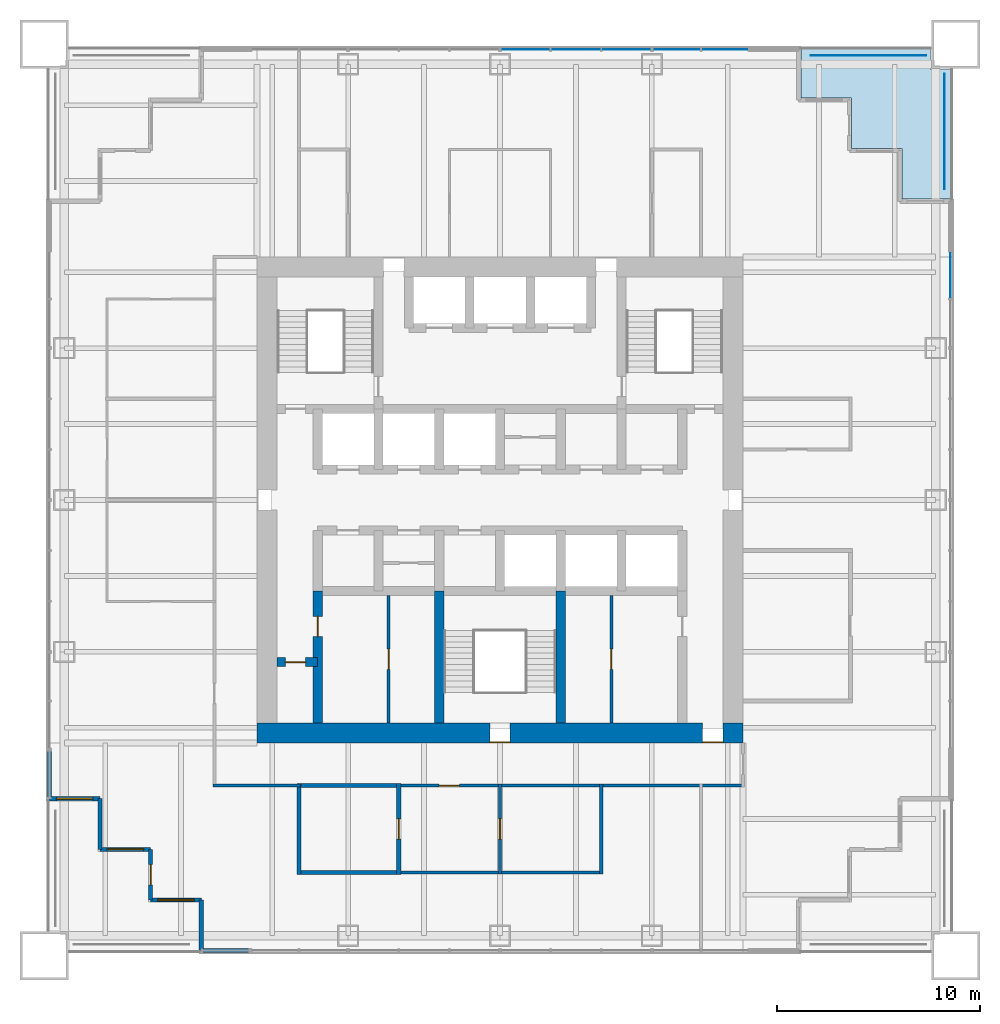
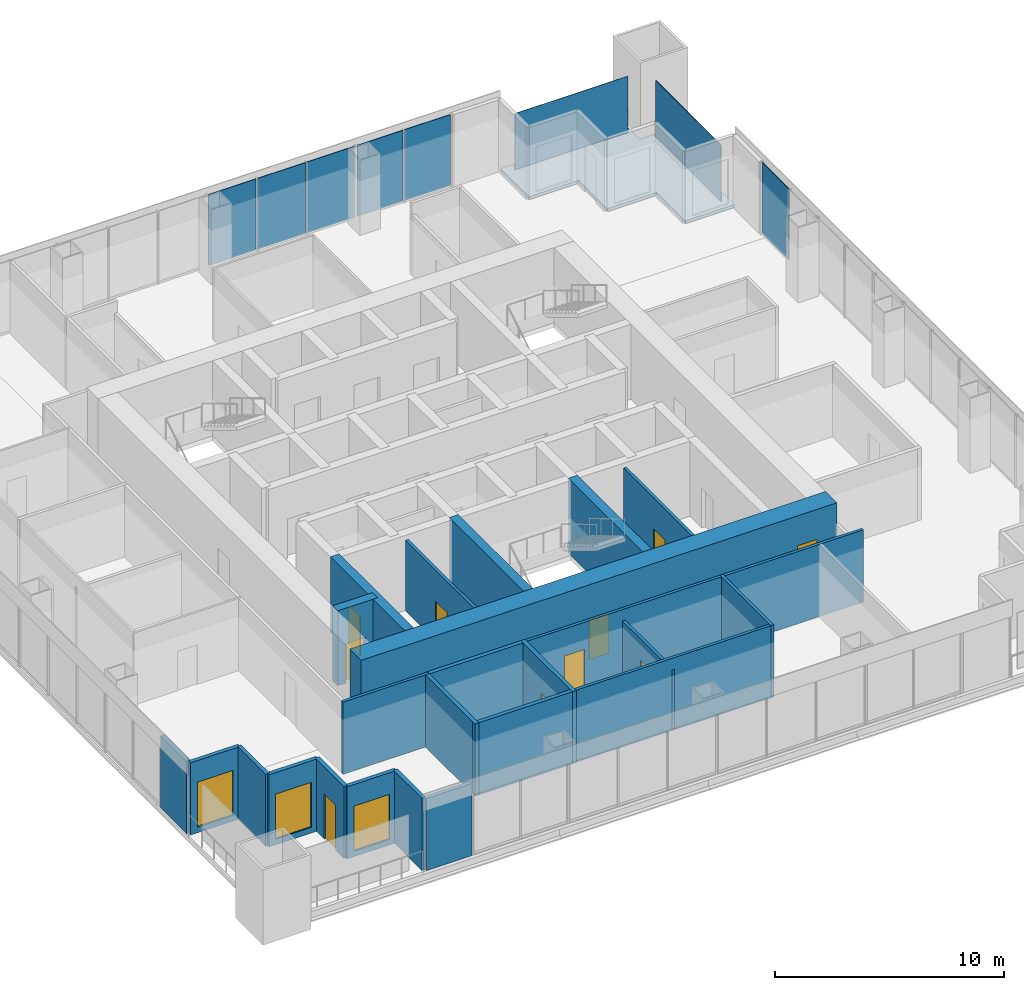
# One storey, part 8 of 13: 24 walls, 10 doors, 8 plates, 3 windows, 1 slab, 13 openings, 3 elements without a shape of their own.
"""IFC4 building model written with IfcOpenShell, lengths in metres."""

from ifc_helpers import new_model, si_unit, direction, frame, frame_2d, origin, origin_2d, place, context, subcontext, project, spatial, polyline, rectangle, outline, extrude, material, layer, layer_set, type_object, element, fill, aggregate, save


model = new_model("IFC4")

# Units and contexts
model_context = context("Model", 3, precision=1e-05, world=origin(), true_north=direction((0.0, 1.0)))
body_context = subcontext(model_context, "Body", "Model", "MODEL_VIEW")
ifc_project = project(units=[si_unit("LENGTHUNIT", "METRE"), si_unit("AREAUNIT", "SQUARE_METRE"), si_unit("VOLUMEUNIT", "CUBIC_METRE"), si_unit("PLANEANGLEUNIT", "RADIAN"), si_unit("MASSUNIT", "GRAM", prefix="KILO")], contexts=[model_context])

# Site, building, storey
site_placement = place(None, origin())
site = spatial("IfcSite", under=ifc_project, at=site_placement, CompositionType="ELEMENT")
building_placement = place(site_placement, origin())
building = spatial("IfcBuilding", under=site, at=building_placement, Name="Tarangal Relay Tower", CompositionType="ELEMENT")
storey_placement = place(building_placement, frame((0.0, 0.0, 245.89990234375)))
storey = spatial("IfcBuildingStorey", under=building, at=storey_placement, Name="L53", CompositionType="ELEMENT", Elevation=245.89990234375)

# Curtain wall, plates
ifc_material_1 = material(Name="Unitised curtain wall, dark glass and black aluminium", Category="aluminium")
curtain_wall_type = type_object("IfcCurtainWallType", Name="Curtain wall CW-A", PredefinedType="USERDEFINED", material=ifc_material_1)
curtain_wall_1_placement = place(storey_placement, origin())
curtain_wall_1 = element("IfcCurtainWall", 1, at=curtain_wall_1_placement, inside=storey, type_object=curtain_wall_type, Name="Curtain wall CW-A N facade L53", ObjectType="UNITISED CURTAIN WALL", PredefinedType="USERDEFINED")
ifc_material_2 = material(Name="Dark tinted insulated glass unit", Category="glass")
ifc_layer_1 = layer(ifc_material_2, 0.031982421875)
ifc_layer_set_1 = layer_set([ifc_layer_1], Name="Glazed panel CW-A 32")
plate_type_1 = type_object("IfcPlateType", Name="Glazed panel CW-A 32", PredefinedType="CURTAIN_PANEL", material=ifc_layer_set_1)
plate_1_placement = place(storey_placement, frame((1.266357421875, 22.25, 0.06494140625), z_axis=(0.0, 0.0, 1.0), x_axis=(1.0, 0.0, 0.0)))
plate_1 = element("IfcPlate", 2, at=plate_1_placement, type_object=plate_type_1, Name="CW-A panel 1.1", PredefinedType="CURTAIN_PANEL", context=body_context, shape_type="SweptSolid", body=[
    extrude(rectangle(XDim=2.402587890625, YDim=0.031982421875, at=origin_2d()), origin(), (0.0, 0.0, 1.0), 3.784912109375),
])
plate_2_placement = place(storey_placement, frame((3.75, 22.25, 0.06494140625), z_axis=(0.0, 0.0, 1.0), x_axis=(1.0, 0.0, 0.0)))
plate_2 = element("IfcPlate", 3, at=plate_2_placement, type_object=plate_type_1, Name="CW-A panel 2.1", PredefinedType="CURTAIN_PANEL", context=body_context, shape_type="SweptSolid", body=[
    extrude(rectangle(XDim=2.43505859375, YDim=0.031982421875, at=origin_2d()), origin(), (0.0, 0.0, 1.0), 3.784912109375),
])
plate_3_placement = place(storey_placement, frame((6.233642578125, 22.25, 0.06494140625), z_axis=(0.0, 0.0, 1.0), x_axis=(1.0, 0.0, 0.0)))
plate_3 = element("IfcPlate", 4, at=plate_3_placement, type_object=plate_type_1, Name="CW-A panel 3.1", PredefinedType="CURTAIN_PANEL", context=body_context, shape_type="SweptSolid", body=[
    extrude(rectangle(XDim=2.402587890625, YDim=0.031982421875, at=origin_2d()), origin(), (0.0, 0.0, 1.0), 3.784912109375),
])
aggregate(curtain_wall_1, [plate_1, plate_2, plate_3])

curtain_wall_2_placement = place(storey_placement, origin())
curtain_wall_2 = element("IfcCurtainWall", 5, at=curtain_wall_2_placement, inside=storey, type_object=curtain_wall_type, Name="Curtain wall CW-A N facade L53", ObjectType="UNITISED CURTAIN WALL", PredefinedType="USERDEFINED")
plate_4_placement = place(storey_placement, frame((8.724609375, 22.25, 0.06494140625), z_axis=(0.0, 0.0, 1.0), x_axis=(1.0, 0.0, 0.0)))
plate_4 = element("IfcPlate", 6, at=plate_4_placement, type_object=plate_type_1, Name="CW-A panel 1.1", PredefinedType="CURTAIN_PANEL", context=body_context, shape_type="SweptSolid", body=[
    extrude(rectangle(XDim=2.319091796875, YDim=0.031982421875, at=origin_2d()), origin(), (0.0, 0.0, 1.0), 3.784912109375),
])
plate_5_placement = place(storey_placement, frame((11.108642578125, 22.25, 0.06494140625), z_axis=(0.0, 0.0, 1.0), x_axis=(1.0, 0.0, 0.0)))
plate_5 = element("IfcPlate", 7, at=plate_5_placement, type_object=plate_type_1, Name="CW-A panel 2.1", PredefinedType="CURTAIN_PANEL", context=body_context, shape_type="SweptSolid", body=[
    extrude(rectangle(XDim=2.319091796875, YDim=0.031982421875, at=origin_2d()), origin(), (0.0, 0.0, 1.0), 3.784912109375),
])
aggregate(curtain_wall_2, [plate_4, plate_5])

# Curtain wall, plate
curtain_wall_3_placement = place(storey_placement, origin())
curtain_wall_3 = element("IfcCurtainWall", 8, at=curtain_wall_3_placement, inside=storey, type_object=curtain_wall_type, Name="Curtain wall CW-A E facade L53", ObjectType="UNITISED CURTAIN WALL", PredefinedType="USERDEFINED")
plate_6_placement = place(storey_placement, frame((22.25, 11.108642578125, 0.06494140625), z_axis=(0.0, 0.0, 1.0), x_axis=(0.0, -1.0, 0.0)))
plate_6 = element("IfcPlate", 9, at=plate_6_placement, type_object=plate_type_1, Name="CW-A panel 1.1", PredefinedType="CURTAIN_PANEL", context=body_context, shape_type="SweptSolid", body=[
    extrude(rectangle(XDim=2.319091796875, YDim=0.031982421875, at=origin_2d()), origin(), (0.0, 0.0, 1.0), 3.784912109375),
])
aggregate(curtain_wall_3, [plate_6])

# Plates
ifc_material_3 = material(Name="Black stainless steel cable trellis with climbing planting", Category="steel")
ifc_layer_2 = layer(ifc_material_3, 0.030029296875)
ifc_layer_set_2 = layer_set([ifc_layer_2], Name="Planted trellis screen")
plate_type_2 = type_object("IfcPlateType", Name="Planted trellis screen", PredefinedType="SHEET", material=ifc_layer_set_2)
plate_7_placement = place(storey_placement, frame((21.949951171875, 18.199951171875, 0.0), z_axis=(0.0, 0.0, 1.0), x_axis=(0.0, -1.0, 0.0)))
element("IfcPlate", 10, at=plate_7_placement, inside=storey, type_object=plate_type_2, Name="Planted trellis SC2 NE L53", PredefinedType="SHEET", context=body_context, shape_type="SweptSolid", body=[
    extrude(rectangle(XDim=5.699951171875, YDim=0.030029296875, at=origin_2d()), origin(), (0.0, 0.0, 1.0), 3.0),
])
ifc_material_4 = material(Name="Perforated black aluminium screen", Category="aluminium")
ifc_layer_3 = layer(ifc_material_4, 0.02001953125)
ifc_layer_set_3 = layer_set([ifc_layer_3], Name="Terrace screen panel")
plate_type_3 = type_object("IfcPlateType", Name="Terrace screen panel", PredefinedType="SHEET", material=ifc_layer_set_3)
plate_8_placement = place(storey_placement, frame((18.199951171875, 21.949951171875, 0.0), z_axis=(0.0, 0.0, 1.0), x_axis=(1.0, 0.0, 0.0)))
element("IfcPlate", 11, at=plate_8_placement, inside=storey, type_object=plate_type_3, Name="Terrace screen SC1 NE L53", PredefinedType="SHEET", context=body_context, shape_type="SweptSolid", body=[
    extrude(rectangle(XDim=5.699951171875, YDim=0.02001953125, at=origin_2d()), origin(), (0.0, 0.0, 1.0), 3.0),
])

# Slab
ifc_material_5 = material(Name="Concrete fc' 35 MPa", Category="concrete")
ifc_layer_4 = layer(ifc_material_5, 0.14990234375)
ifc_layer_set_4 = layer_set([ifc_layer_4], Name="Terrace slab 150")
slab_type = type_object("IfcSlabType", Name="Terrace slab 150", PredefinedType="FLOOR", material=ifc_layer_set_4)
slab_placement = place(storey_placement, frame((0.0, 0.0, -0.14990234375)))
element("IfcSlab", 12, at=slab_placement, inside=storey, type_object=slab_type, Name="Corner terrace NE L53", PredefinedType="FLOOR", context=body_context, shape_type="SweptSolid", body=[
    extrude(outline(polyline([(14.85009765625, 22.35009765625), (14.85009765625, 19.85009765625), (17.35009765625, 19.85009765625), (17.35009765625, 17.35009765625), (19.85009765625, 17.35009765625), (19.85009765625, 14.85009765625), (22.35009765625, 14.85009765625), (22.35009765625, 21.25), (21.25, 21.25), (21.25, 22.35009765625), (14.85009765625, 22.35009765625)])), origin(), (0.0, 0.0, 1.0), 0.14990234375),
])

# Walls
ifc_material_6 = material(Name="Two layers gypsum board each side on twin steel studs, mineral wool", Category="steel")
ifc_layer_5 = layer(ifc_material_6, 0.199951171875)
ifc_layer_set_5 = layer_set([ifc_layer_5], Name="Acoustic partition 200")
wall_type_1 = type_object("IfcWallType", Name="Acoustic partition 200", PredefinedType="PARTITIONING", material=ifc_layer_set_5)
for number, where, z_axis, x_axis, name in (
    (13, (-10.01708984375, -18.39990234375, 0.0), (0.0, 0.0, 1.0), (1.0, 0.0, 0.0), "Partition PT2 L53"),
    (14, (-10.01708984375, -14.10009765625, 0.0), (0.0, 0.0, 1.0), (1.0, 0.0, 0.0), "Partition PT2 L53"),
):
    element("IfcWall", number, at=place(storey_placement, frame(where, z_axis=z_axis, x_axis=x_axis)), inside=storey, type_object=wall_type_1, Name=name, PredefinedType="PARTITIONING", context=body_context, shape_type="SweptSolid", body=[
        extrude(rectangle(XDim=5.1171875, YDim=0.199951171875, at=frame_2d((2.55859375, 0.0))), origin(), (0.0, 0.0, 1.0), 3.85009765625),
    ])
wall_1_placement = place(storey_placement, frame((-9.9169921875, -18.5, 0.0), z_axis=(0.0, 0.0, 1.0), x_axis=(0.0, 1.0, 0.0)))
element("IfcWall", 15, at=wall_1_placement, inside=storey, type_object=wall_type_1, Name="Partition PT2 L53", PredefinedType="PARTITIONING", context=body_context, shape_type="SweptSolid", body=[
    extrude(rectangle(XDim=4.5, YDim=0.199951171875, at=frame_2d((2.25, 0.0))), origin(), (0.0, 0.0, 1.0), 3.85009765625),
])

# Wall, opening, door
wall_2_placement = place(storey_placement, frame((-5.0, -18.5, 0.0), z_axis=(0.0, 0.0, 1.0), x_axis=(0.0, 1.0, 0.0)))
wall_2 = element("IfcWall", 16, at=wall_2_placement, inside=storey, type_object=wall_type_1, Name="Partition PT2 L53", PredefinedType="PARTITIONING", context=body_context, shape_type="SweptSolid", body=[
    extrude(rectangle(XDim=4.5, YDim=0.199951171875, at=frame_2d((2.25, 0.0))), origin(), (0.0, 0.0, 1.0), 3.85009765625),
])
opening_1_placement = place(wall_2_placement, frame((1.75, 0.0, 0.0)))
opening_1 = element("IfcOpeningElement", 17, at=opening_1_placement, cuts=wall_2, Name="Opening D2", PredefinedType="OPENING", context=body_context, shape_type="SweptSolid", body=[
    extrude(rectangle(XDim=1.0, YDim=2.10009765625, at=frame_2d((0.5, 1.050048828125))), frame((0.0, 0.10986328125, 0.0), z_axis=(0.0, -1.0, 0.0), x_axis=(1.0, 0.0, 0.0)), (0.0, 0.0, 1.0), 0.219970703125),
])
ifc_material_7 = material(Name="Hardwood door", Category="wood")
door_type_1 = type_object("IfcDoorType", Name="Door 1000 x 2100", OperationType="SINGLE_SWING_LEFT", PredefinedType="DOOR", material=ifc_material_7)
door_1_placement = place(opening_1_placement, origin())
door_1 = element("IfcDoor", 18, at=door_1_placement, inside=storey, type_object=door_type_1, Name="Door D2 to quiet room L53-09", OperationType="SINGLE_SWING_LEFT", OverallHeight=2.10009765625, OverallWidth=1.0, PredefinedType="DOOR", context=body_context, shape_type="SweptSolid", body=[
    extrude(rectangle(XDim=1.0, YDim=2.10009765625, at=frame_2d((0.5, 1.050048828125))), frame((0.0, 0.02490234375, 0.0), z_axis=(0.0, -1.0, 0.0), x_axis=(1.0, 0.0, 0.0)), (0.0, 0.0, 1.0), 0.050048828125),
])
fill(opening_1, door_1)

ifc_material_8 = material(Name="Concrete fc' 60 MPa", Category="concrete")
ifc_layer_6 = layer(ifc_material_8, 0.449951171875)
ifc_layer_set_6 = layer_set([ifc_layer_6], Name="Core inner wall 450")
wall_type_2 = type_object("IfcWallType", Name="Core inner wall 450", PredefinedType="SHEAR", material=ifc_layer_set_6)
wall_3_placement = place(storey_placement, frame((-11.0, -8.0, 0.0), z_axis=(0.0, 0.0, 1.0), x_axis=(1.0, 0.0, 0.0)))
wall_3 = element("IfcWall", 19, at=wall_3_placement, inside=storey, type_object=wall_type_2, Name="Core wall YM8 L53", PredefinedType="SHEAR", context=body_context, shape_type="SweptSolid", body=[
    extrude(rectangle(XDim=2.0, YDim=0.449951171875, at=frame_2d((1.0, 0.0))), origin(), (0.0, 0.0, 1.0), 4.0),
])
opening_2_placement = place(wall_3_placement, frame((0.39990234375, 0.0, 0.0)))
opening_2 = element("IfcOpeningElement", 20, at=opening_2_placement, cuts=wall_3, Name="Opening D1", PredefinedType="OPENING", context=body_context, shape_type="SweptSolid", body=[
    extrude(rectangle(XDim=1.0, YDim=2.10009765625, at=frame_2d((0.5, 1.050048828125))), frame((0.0, 0.23486328125, 0.0), z_axis=(0.0, -1.0, 0.0), x_axis=(1.0, 0.0, 0.0)), (0.0, 0.0, 1.0), 0.469970703125),
])
door_type_2 = type_object("IfcDoorType", Name="WC door 1000 x 2100", OperationType="SINGLE_SWING_LEFT", PredefinedType="DOOR", material=ifc_material_7)
door_2_placement = place(opening_2_placement, origin())
door_2 = element("IfcDoor", 21, at=door_2_placement, inside=storey, type_object=door_type_2, Name="Accessible WC door L53", OperationType="SINGLE_SWING_LEFT", OverallHeight=2.10009765625, OverallWidth=1.0, PredefinedType="DOOR", context=body_context, shape_type="SweptSolid", body=[
    extrude(rectangle(XDim=1.0, YDim=2.10009765625, at=frame_2d((0.5, 1.050048828125))), frame((0.0, 0.02490234375, 0.0), z_axis=(0.0, -1.0, 0.0), x_axis=(1.0, 0.0, 0.0)), (0.0, 0.0, 1.0), 0.050048828125),
])
fill(opening_2, door_2)

wall_4_placement = place(storey_placement, frame((-9.0, -11.0, 0.0), z_axis=(0.0, 0.0, 1.0), x_axis=(0.0, 1.0, 0.0)))
wall_4 = element("IfcWall", 22, at=wall_4_placement, inside=storey, type_object=wall_type_2, Name="Core wall XM9W L53", PredefinedType="SHEAR", context=body_context, shape_type="SweptSolid", body=[
    extrude(rectangle(XDim=6.5, YDim=0.449951171875, at=frame_2d((3.25, 0.0))), origin(), (0.0, 0.0, 1.0), 4.0),
])
opening_3_placement = place(wall_4_placement, frame((4.25, 0.0, 0.0)))
opening_3 = element("IfcOpeningElement", 23, at=opening_3_placement, cuts=wall_4, Name="Opening D1", PredefinedType="OPENING", context=body_context, shape_type="SweptSolid", body=[
    extrude(rectangle(XDim=1.0, YDim=2.10009765625, at=frame_2d((0.5, 1.050048828125))), frame((0.0, 0.23486328125, 0.0), z_axis=(0.0, -1.0, 0.0), x_axis=(1.0, 0.0, 0.0)), (0.0, 0.0, 1.0), 0.469970703125),
])
door_3_placement = place(opening_3_placement, origin())
door_3 = element("IfcDoor", 24, at=door_3_placement, inside=storey, type_object=door_type_2, Name="Male WC door L53", OperationType="SINGLE_SWING_LEFT", OverallHeight=2.10009765625, OverallWidth=1.0, PredefinedType="DOOR", context=body_context, shape_type="SweptSolid", body=[
    extrude(rectangle(XDim=1.0, YDim=2.10009765625, at=frame_2d((0.5, 1.050048828125))), frame((0.0, 0.02490234375, 0.0), z_axis=(0.0, -1.0, 0.0), x_axis=(1.0, 0.0, 0.0)), (0.0, 0.0, 1.0), 0.050048828125),
])
fill(opening_3, door_3)

# Walls
for number, where, z_axis, x_axis, name in (
    (25, (-3.0, -11.0, 0.0), (0.0, 0.0, 1.0), (0.0, 1.0, 0.0), "Core wall XM3W L53"),
    (26, (3.0, -11.0, 0.0), (0.0, 0.0, 1.0), (0.0, 1.0, 0.0), "Core wall X3W L53"),
):
    element("IfcWall", number, at=place(storey_placement, frame(where, z_axis=z_axis, x_axis=x_axis)), inside=storey, type_object=wall_type_2, Name=name, PredefinedType="SHEAR", context=body_context, shape_type="SweptSolid", body=[
        extrude(rectangle(XDim=6.5, YDim=0.449951171875, at=frame_2d((3.25, 0.0))), origin(), (0.0, 0.0, 1.0), 4.0),
    ])

# Wall, openings, doors
ifc_layer_7 = layer(ifc_material_8, 1.0)
ifc_layer_set_7 = layer_set([ifc_layer_7], Name="Core wall 1000")
wall_type_3 = type_object("IfcWallType", Name="Core wall 1000", PredefinedType="SHEAR", material=ifc_layer_set_7)
wall_5_placement = place(storey_placement, frame((12.0, -11.5, 0.0), z_axis=(0.0, 0.0, 1.0), x_axis=(-1.0, 0.0, 0.0)))
wall_5 = element("IfcWall", 27, at=wall_5_placement, inside=storey, type_object=wall_type_3, Name="Core wall S L53", PredefinedType="SHEAR", context=body_context, shape_type="SweptSolid", body=[
    extrude(rectangle(XDim=24.0, YDim=1.0, at=frame_2d((12.0, 0.0))), origin(), (0.0, 0.0, 1.0), 4.0),
])
opening_4_placement = place(wall_5_placement, frame((11.5, 0.0, 0.0)))
opening_4 = element("IfcOpeningElement", 28, at=opening_4_placement, cuts=wall_5, Name="Opening FD1", PredefinedType="OPENING", context=body_context, shape_type="SweptSolid", body=[
    extrude(rectangle(XDim=1.0, YDim=2.10009765625, at=frame_2d((0.5, 1.050048828125))), frame((0.0, 0.510009765625, 0.0), z_axis=(0.0, -1.0, 0.0), x_axis=(1.0, 0.0, 0.0)), (0.0, 0.0, 1.0), 1.02001953125),
])
opening_5_placement = place(wall_5_placement, frame((1.0, 0.0, 0.0)))
opening_5 = element("IfcOpeningElement", 29, at=opening_5_placement, cuts=wall_5, Name="Opening FD3", PredefinedType="OPENING", context=body_context, shape_type="SweptSolid", body=[
    extrude(rectangle(XDim=1.0, YDim=2.39990234375, at=frame_2d((0.5, 1.199951171875))), frame((0.0, 0.510009765625, 0.0), z_axis=(0.0, -1.0, 0.0), x_axis=(1.0, 0.0, 0.0)), (0.0, 0.0, 1.0), 1.02001953125),
])
ifc_material_9 = material(Name="Steel door with hardwood frame", Category="steel")
door_type_3 = type_object("IfcDoorType", Name="Fire door 1000 x 2100", OperationType="SINGLE_SWING_LEFT", PredefinedType="DOOR", material=ifc_material_9)
door_4_placement = place(opening_4_placement, origin())
door_4 = element("IfcDoor", 30, at=door_4_placement, inside=storey, type_object=door_type_3, Name="Stair ST-C door L53", OperationType="SINGLE_SWING_LEFT", OverallHeight=2.10009765625, OverallWidth=1.0, PredefinedType="DOOR", context=body_context, shape_type="SweptSolid", body=[
    extrude(rectangle(XDim=1.0, YDim=2.10009765625, at=frame_2d((0.5, 1.050048828125))), frame((0.0, 0.48486328125, 0.0), z_axis=(0.0, -1.0, 0.0), x_axis=(1.0, 0.0, 0.0)), (0.0, 0.0, 1.0), 0.050048828125),
])
fill(opening_4, door_4)
door_type_4 = type_object("IfcDoorType", Name="Fire door 1000 x 2400 core entry", OperationType="SINGLE_SWING_RIGHT", PredefinedType="DOOR", material=ifc_material_9)
door_5_placement = place(opening_5_placement, origin())
door_5 = element("IfcDoor", 31, at=door_5_placement, inside=storey, type_object=door_type_4, Name="Core entry door south east L53", OperationType="SINGLE_SWING_RIGHT", OverallHeight=2.39990234375, OverallWidth=1.0, PredefinedType="DOOR", context=body_context, shape_type="SweptSolid", body=[
    extrude(rectangle(XDim=1.0, YDim=2.39990234375, at=frame_2d((0.5, 1.199951171875))), frame((0.0, 0.48486328125, 0.0), z_axis=(0.0, -1.0, 0.0), x_axis=(1.0, 0.0, 0.0)), (0.0, 0.0, 1.0), 0.050048828125),
])
fill(opening_5, door_5)

# Wall
ifc_material_10 = material(Name="Black metal clad insulated wall", Category="steel")
ifc_layer_8 = layer(ifc_material_10, 0.199951171875)
ifc_layer_set_8 = layer_set([ifc_layer_8], Name="Corner wall metal clad 200")
wall_type_4 = type_object("IfcWallType", Name="Corner wall metal clad 200", PredefinedType="SOLIDWALL", material=ifc_layer_set_8)
wall_6_placement = place(storey_placement, frame((-14.75, -22.25, 0.0), z_axis=(0.0, 0.0, 1.0), x_axis=(0.0, 1.0, 0.0)))
element("IfcWall", 32, at=wall_6_placement, inside=storey, type_object=wall_type_4, Name="Facade wall S facade L53", PredefinedType="SOLIDWALL", context=body_context, shape_type="SweptSolid", body=[
    extrude(rectangle(XDim=2.5, YDim=0.199951171875, at=frame_2d((1.25, 0.0))), origin(), (0.0, 0.0, 1.0), 3.85009765625),
])

# Wall, opening, window
wall_7_placement = place(storey_placement, frame((-14.75, -19.75, 0.0), z_axis=(0.0, 0.0, 1.0), x_axis=(-1.0, 0.0, 0.0)))
wall_7 = element("IfcWall", 33, at=wall_7_placement, inside=storey, type_object=wall_type_4, Name="Facade wall S facade L53", PredefinedType="SOLIDWALL", context=body_context, shape_type="SweptSolid", body=[
    extrude(rectangle(XDim=2.5, YDim=0.199951171875, at=frame_2d((1.25, 0.0))), origin(), (0.0, 0.0, 1.0), 3.85009765625),
])
opening_6_placement = place(wall_7_placement, frame((0.35009765625, 0.0, 0.300048828125)))
opening_6 = element("IfcOpeningElement", 34, at=opening_6_placement, cuts=wall_7, Name="Opening WN2", PredefinedType="OPENING", context=body_context, shape_type="SweptSolid", body=[
    extrude(rectangle(XDim=1.800048828125, YDim=2.39990234375, at=frame_2d((0.89990234375, 1.199951171875))), frame((0.0, 0.10986328125, 0.0), z_axis=(0.0, -1.0, 0.0), x_axis=(1.0, 0.0, 0.0)), (0.0, 0.0, 1.0), 0.219970703125),
])
ifc_material_11 = material(Name="Dark tinted double glazing in black aluminium frame", Category="aluminium")
window_type = type_object("IfcWindowType", Name="Corner window 1800 x 2400", PartitioningType="SINGLE_PANEL", PredefinedType="WINDOW", material=ifc_material_11)
window_1_placement = place(opening_6_placement, origin())
window_1 = element("IfcWindow", 35, at=window_1_placement, inside=storey, type_object=window_type, Name="Corner window WN2 S facade L53", OverallHeight=2.39990234375, OverallWidth=1.800048828125, PartitioningType="SINGLE_PANEL", PredefinedType="WINDOW", context=body_context, shape_type="SweptSolid", body=[
    extrude(rectangle(XDim=1.800048828125, YDim=2.39990234375, at=frame_2d((0.89990234375, 1.199951171875))), frame((0.0, 0.030029296875, 0.0), z_axis=(0.0, -1.0, 0.0), x_axis=(1.0, 0.0, 0.0)), (0.0, 0.0, 1.0), 0.06005859375),
])
fill(opening_6, window_1)

# Wall, opening, door
wall_8_placement = place(storey_placement, frame((-17.25, -19.75, 0.0), z_axis=(0.0, 0.0, 1.0), x_axis=(0.0, 1.0, 0.0)))
wall_8 = element("IfcWall", 36, at=wall_8_placement, inside=storey, type_object=wall_type_4, Name="Facade wall S facade L53", PredefinedType="SOLIDWALL", context=body_context, shape_type="SweptSolid", body=[
    extrude(rectangle(XDim=2.5, YDim=0.199951171875, at=frame_2d((1.25, 0.0))), origin(), (0.0, 0.0, 1.0), 3.85009765625),
])
opening_7_placement = place(wall_8_placement, frame((0.75, 0.0, 0.0)))
opening_7 = element("IfcOpeningElement", 37, at=opening_7_placement, cuts=wall_8, Name="Opening TD1", PredefinedType="OPENING", context=body_context, shape_type="SweptSolid", body=[
    extrude(rectangle(XDim=1.0, YDim=2.39990234375, at=frame_2d((0.5, 1.199951171875))), frame((0.0, 0.10986328125, 0.0), z_axis=(0.0, -1.0, 0.0), x_axis=(1.0, 0.0, 0.0)), (0.0, 0.0, 1.0), 0.219970703125),
])
ifc_material_12 = material(Name="Aluminium glazed door", Category="aluminium")
door_type_5 = type_object("IfcDoorType", Name="Terrace door 1000 x 2400", OperationType="SINGLE_SWING_RIGHT", PredefinedType="DOOR", material=ifc_material_12)
door_6_placement = place(opening_7_placement, origin())
door_6 = element("IfcDoor", 38, at=door_6_placement, inside=storey, type_object=door_type_5, Name="Terrace door TD1 SW L53", OperationType="SINGLE_SWING_RIGHT", OverallHeight=2.39990234375, OverallWidth=1.0, PredefinedType="DOOR", context=body_context, shape_type="SweptSolid", body=[
    extrude(rectangle(XDim=1.0, YDim=2.39990234375, at=frame_2d((0.5, 1.199951171875))), frame((0.0, 0.02490234375, 0.0), z_axis=(0.0, -1.0, 0.0), x_axis=(1.0, 0.0, 0.0)), (0.0, 0.0, 1.0), 0.050048828125),
])
fill(opening_7, door_6)

# Wall, opening, window
wall_9_placement = place(storey_placement, frame((-17.25, -17.25, 0.0), z_axis=(0.0, 0.0, 1.0), x_axis=(-1.0, 0.0, 0.0)))
wall_9 = element("IfcWall", 39, at=wall_9_placement, inside=storey, type_object=wall_type_4, Name="Facade wall S facade L53", PredefinedType="SOLIDWALL", context=body_context, shape_type="SweptSolid", body=[
    extrude(rectangle(XDim=2.5, YDim=0.199951171875, at=frame_2d((1.25, 0.0))), origin(), (0.0, 0.0, 1.0), 3.85009765625),
])
opening_8_placement = place(wall_9_placement, frame((0.35009765625, 0.0, 0.300048828125)))
opening_8 = element("IfcOpeningElement", 40, at=opening_8_placement, cuts=wall_9, Name="Opening WN2", PredefinedType="OPENING", context=body_context, shape_type="SweptSolid", body=[
    extrude(rectangle(XDim=1.800048828125, YDim=2.39990234375, at=frame_2d((0.89990234375, 1.199951171875))), frame((0.0, 0.10986328125, 0.0), z_axis=(0.0, -1.0, 0.0), x_axis=(1.0, 0.0, 0.0)), (0.0, 0.0, 1.0), 0.219970703125),
])
window_2_placement = place(opening_8_placement, origin())
window_2 = element("IfcWindow", 41, at=window_2_placement, inside=storey, type_object=window_type, Name="Corner window WN2 S facade L53", OverallHeight=2.39990234375, OverallWidth=1.800048828125, PartitioningType="SINGLE_PANEL", PredefinedType="WINDOW", context=body_context, shape_type="SweptSolid", body=[
    extrude(rectangle(XDim=1.800048828125, YDim=2.39990234375, at=frame_2d((0.89990234375, 1.199951171875))), frame((0.0, 0.030029296875, 0.0), z_axis=(0.0, -1.0, 0.0), x_axis=(1.0, 0.0, 0.0)), (0.0, 0.0, 1.0), 0.06005859375),
])
fill(opening_8, window_2)

# Wall
wall_10_placement = place(storey_placement, frame((-19.75, -17.25, 0.0), z_axis=(0.0, 0.0, 1.0), x_axis=(0.0, 1.0, 0.0)))
element("IfcWall", 42, at=wall_10_placement, inside=storey, type_object=wall_type_4, Name="Facade wall S facade L53", PredefinedType="SOLIDWALL", context=body_context, shape_type="SweptSolid", body=[
    extrude(rectangle(XDim=2.5, YDim=0.199951171875, at=frame_2d((1.25, 0.0))), origin(), (0.0, 0.0, 1.0), 3.85009765625),
])

# Wall, opening, window
wall_11_placement = place(storey_placement, frame((-19.75, -14.75, 0.0), z_axis=(0.0, 0.0, 1.0), x_axis=(-1.0, 0.0, 0.0)))
wall_11 = element("IfcWall", 43, at=wall_11_placement, inside=storey, type_object=wall_type_4, Name="Facade wall S facade L53", PredefinedType="SOLIDWALL", context=body_context, shape_type="SweptSolid", body=[
    extrude(rectangle(XDim=2.5, YDim=0.199951171875, at=frame_2d((1.25, 0.0))), origin(), (0.0, 0.0, 1.0), 3.85009765625),
])
opening_9_placement = place(wall_11_placement, frame((0.35009765625, 0.0, 0.300048828125)))
opening_9 = element("IfcOpeningElement", 44, at=opening_9_placement, cuts=wall_11, Name="Opening WN2", PredefinedType="OPENING", context=body_context, shape_type="SweptSolid", body=[
    extrude(rectangle(XDim=1.800048828125, YDim=2.39990234375, at=frame_2d((0.89990234375, 1.199951171875))), frame((0.0, 0.10986328125, 0.0), z_axis=(0.0, -1.0, 0.0), x_axis=(1.0, 0.0, 0.0)), (0.0, 0.0, 1.0), 0.219970703125),
])
window_3_placement = place(opening_9_placement, origin())
window_3 = element("IfcWindow", 45, at=window_3_placement, inside=storey, type_object=window_type, Name="Corner window WN2 S facade L53", OverallHeight=2.39990234375, OverallWidth=1.800048828125, PartitioningType="SINGLE_PANEL", PredefinedType="WINDOW", context=body_context, shape_type="SweptSolid", body=[
    extrude(rectangle(XDim=1.800048828125, YDim=2.39990234375, at=frame_2d((0.89990234375, 1.199951171875))), frame((0.0, 0.030029296875, 0.0), z_axis=(0.0, -1.0, 0.0), x_axis=(1.0, 0.0, 0.0)), (0.0, 0.0, 1.0), 0.06005859375),
])
fill(opening_9, window_3)

# Walls
ifc_layer_9 = layer(ifc_material_10, 0.199951171875)
ifc_layer_set_9 = layer_set([ifc_layer_9], Name="Facade infill wall metal clad 200")
wall_type_5 = type_object("IfcWallType", Name="Facade infill wall metal clad 200", PredefinedType="SOLIDWALL", material=ifc_layer_set_9)
for number, where, z_axis, x_axis, name in (
    (46, (-12.398193359375, -22.25, 0.0), (0.0, 0.0, 1.0), (-1.0, 0.0, 0.0), "Facade infill wall S facade L53 1.1"),
    (47, (-22.25, -14.68505859375, 0.0), (0.0, 0.0, 1.0), (0.0, 1.0, 0.0), "Facade infill wall W facade L53 1.1"),
):
    element("IfcWall", number, at=place(storey_placement, frame(where, z_axis=z_axis, x_axis=x_axis)), inside=storey, type_object=wall_type_5, Name=name, PredefinedType="SOLIDWALL", context=body_context, shape_type="SweptSolid", body=[
        extrude(rectangle(XDim=2.286865234375, YDim=0.199951171875, at=frame_2d((1.1435546875, 0.0))), origin(), (0.0, 0.0, 1.0), 3.85009765625),
    ])
ifc_material_13 = material(Name="Gypsum board on steel studs", Category="steel")
ifc_layer_10 = layer(ifc_material_13, 0.14990234375)
ifc_layer_set_10 = layer_set([ifc_layer_10], Name="Partition 150")
wall_type_6 = type_object("IfcWallType", Name="Partition 150", PredefinedType="PARTITIONING", material=ifc_layer_set_10)
wall_12_placement = place(storey_placement, frame((-5.074951171875, -18.39990234375, 0.0), z_axis=(0.0, 0.0, 1.0), x_axis=(1.0, 0.0, 0.0)))
element("IfcWall", 48, at=wall_12_placement, inside=storey, type_object=wall_type_6, Name="Partition PT1 L53", PredefinedType="PARTITIONING", context=body_context, shape_type="SweptSolid", body=[
    extrude(rectangle(XDim=10.14990234375, YDim=0.14990234375, at=frame_2d((5.074951171875, 0.0))), origin(), (0.0, 0.0, 1.0), 3.85009765625),
])
wall_13_placement = place(storey_placement, frame((-14.175048828125, -14.10009765625, 0.0), z_axis=(0.0, 0.0, 1.0), x_axis=(1.0, 0.0, 0.0)))
element("IfcWall", 49, at=wall_13_placement, inside=storey, type_object=wall_type_6, Name="Partition PT1 L53", PredefinedType="PARTITIONING", context=body_context, shape_type="SweptSolid", body=[
    extrude(rectangle(XDim=4.3330078125, YDim=0.14990234375, at=frame_2d((2.16650390625, 0.0))), origin(), (0.0, 0.0, 1.0), 3.85009765625),
])

# Wall, opening, door
wall_14_placement = place(storey_placement, frame((-5.074951171875, -14.10009765625, 0.0), z_axis=(0.0, 0.0, 1.0), x_axis=(1.0, 0.0, 0.0)))
wall_14 = element("IfcWall", 50, at=wall_14_placement, inside=storey, type_object=wall_type_6, Name="Partition PT1 L53", PredefinedType="PARTITIONING", context=body_context, shape_type="SweptSolid", body=[
    extrude(rectangle(XDim=17.14990234375, YDim=0.14990234375, at=frame_2d((8.574951171875, 0.0))), origin(), (0.0, 0.0, 1.0), 3.85009765625),
])
opening_10_placement = place(wall_14_placement, frame((2.074951171875, 0.0, 0.0)))
opening_10 = element("IfcOpeningElement", 51, at=opening_10_placement, cuts=wall_14, Name="Opening SD1", PredefinedType="OPENING", context=body_context, shape_type="SweptSolid", body=[
    extrude(rectangle(XDim=1.0, YDim=2.39990234375, at=frame_2d((0.5, 1.199951171875))), frame((0.0, 0.0849609375, 0.0), z_axis=(0.0, -1.0, 0.0), x_axis=(1.0, 0.0, 0.0)), (0.0, 0.0, 1.0), 0.169921875),
])
door_type_6 = type_object("IfcDoorType", Name="Suite entrance door 1000 x 2400", OperationType="SINGLE_SWING_RIGHT", PredefinedType="DOOR", material=ifc_material_9)
door_7_placement = place(opening_10_placement, origin())
door_7 = element("IfcDoor", 52, at=door_7_placement, inside=storey, type_object=door_type_6, Name="Door SD1 to reception L53-08", OperationType="SINGLE_SWING_RIGHT", OverallHeight=2.39990234375, OverallWidth=1.0, PredefinedType="DOOR", context=body_context, shape_type="SweptSolid", body=[
    extrude(rectangle(XDim=1.0, YDim=2.39990234375, at=frame_2d((0.5, 1.199951171875))), frame((0.0, 0.02490234375, 0.0), z_axis=(0.0, -1.0, 0.0), x_axis=(1.0, 0.0, 0.0)), (0.0, 0.0, 1.0), 0.050048828125),
])
fill(opening_10, door_7)

wall_15_placement = place(storey_placement, frame((0.0, -18.47509765625, 0.0), z_axis=(0.0, 0.0, 1.0), x_axis=(0.0, 1.0, 0.0)))
wall_15 = element("IfcWall", 53, at=wall_15_placement, inside=storey, type_object=wall_type_6, Name="Partition PT1 L53", PredefinedType="PARTITIONING", context=body_context, shape_type="SweptSolid", body=[
    extrude(rectangle(XDim=4.4501953125, YDim=0.14990234375, at=frame_2d((2.22509765625, 0.0))), origin(), (0.0, 0.0, 1.0), 3.238037109375),
])
opening_11_placement = place(wall_15_placement, frame((1.72509765625, 0.0, 0.0)))
opening_11 = element("IfcOpeningElement", 54, at=opening_11_placement, cuts=wall_15, Name="Opening D2", PredefinedType="OPENING", context=body_context, shape_type="SweptSolid", body=[
    extrude(rectangle(XDim=1.0, YDim=2.10009765625, at=frame_2d((0.5, 1.050048828125))), frame((0.0, 0.0849609375, 0.0), z_axis=(0.0, -1.0, 0.0), x_axis=(1.0, 0.0, 0.0)), (0.0, 0.0, 1.0), 0.169921875),
])
door_8_placement = place(opening_11_placement, origin())
door_8 = element("IfcDoor", 55, at=door_8_placement, inside=storey, type_object=door_type_1, Name="Door D2 to tea pantry L53-07", OperationType="SINGLE_SWING_LEFT", OverallHeight=2.10009765625, OverallWidth=1.0, PredefinedType="DOOR", context=body_context, shape_type="SweptSolid", body=[
    extrude(rectangle(XDim=1.0, YDim=2.10009765625, at=frame_2d((0.5, 1.050048828125))), frame((0.0, 0.02490234375, 0.0), z_axis=(0.0, -1.0, 0.0), x_axis=(1.0, 0.0, 0.0)), (0.0, 0.0, 1.0), 0.050048828125),
])
fill(opening_11, door_8)

# Wall
wall_16_placement = place(storey_placement, frame((5.0, -18.47509765625, 0.0), z_axis=(0.0, 0.0, 1.0), x_axis=(0.0, 1.0, 0.0)))
element("IfcWall", 56, at=wall_16_placement, inside=storey, type_object=wall_type_6, Name="Partition PT1 L53", PredefinedType="PARTITIONING", context=body_context, shape_type="SweptSolid", body=[
    extrude(rectangle(XDim=4.4501953125, YDim=0.14990234375, at=frame_2d((2.22509765625, 0.0))), origin(), (0.0, 0.0, 1.0), 3.85009765625),
])

# Wall, opening, door
wall_17_placement = place(storey_placement, frame((-5.5, -11.0, 0.0), z_axis=(0.0, 0.0, 1.0), x_axis=(0.0, 1.0, 0.0)))
wall_17 = element("IfcWall", 57, at=wall_17_placement, inside=storey, type_object=wall_type_6, Name="Partition PT1 L53", PredefinedType="PARTITIONING", context=body_context, shape_type="SweptSolid", body=[
    extrude(rectangle(XDim=6.27490234375, YDim=0.14990234375, at=frame_2d((3.137451171875, 0.0))), origin(), (0.0, 0.0, 1.0), 3.75),
])
opening_12_placement = place(wall_17_placement, frame((2.637451171875, 0.0, 0.0)))
opening_12 = element("IfcOpeningElement", 58, at=opening_12_placement, cuts=wall_17, Name="Opening D1", PredefinedType="OPENING", context=body_context, shape_type="SweptSolid", body=[
    extrude(rectangle(XDim=1.0, YDim=2.10009765625, at=frame_2d((0.5, 1.050048828125))), frame((0.0, 0.0849609375, 0.0), z_axis=(0.0, -1.0, 0.0), x_axis=(1.0, 0.0, 0.0)), (0.0, 0.0, 1.0), 0.169921875),
])
door_9_placement = place(opening_12_placement, origin())
door_9 = element("IfcDoor", 59, at=door_9_placement, inside=storey, type_object=door_type_2, Name="Door D1 to male shower and changing room L53-C7B", OperationType="SINGLE_SWING_LEFT", OverallHeight=2.10009765625, OverallWidth=1.0, PredefinedType="DOOR", context=body_context, shape_type="SweptSolid", body=[
    extrude(rectangle(XDim=1.0, YDim=2.10009765625, at=frame_2d((0.5, 1.050048828125))), frame((0.0, 0.02490234375, 0.0), z_axis=(0.0, -1.0, 0.0), x_axis=(1.0, 0.0, 0.0)), (0.0, 0.0, 1.0), 0.050048828125),
])
fill(opening_12, door_9)

wall_18_placement = place(storey_placement, frame((5.5, -11.0, 0.0), z_axis=(0.0, 0.0, 1.0), x_axis=(0.0, 1.0, 0.0)))
wall_18 = element("IfcWall", 60, at=wall_18_placement, inside=storey, type_object=wall_type_6, Name="Partition PT1 L53", PredefinedType="PARTITIONING", context=body_context, shape_type="SweptSolid", body=[
    extrude(rectangle(XDim=6.27490234375, YDim=0.14990234375, at=frame_2d((3.137451171875, 0.0))), origin(), (0.0, 0.0, 1.0), 3.75),
])
opening_13_placement = place(wall_18_placement, frame((2.637451171875, 0.0, 0.0)))
opening_13 = element("IfcOpeningElement", 61, at=opening_13_placement, cuts=wall_18, Name="Opening D1", PredefinedType="OPENING", context=body_context, shape_type="SweptSolid", body=[
    extrude(rectangle(XDim=1.0, YDim=2.10009765625, at=frame_2d((0.5, 1.050048828125))), frame((0.0, 0.0849609375, 0.0), z_axis=(0.0, -1.0, 0.0), x_axis=(1.0, 0.0, 0.0)), (0.0, 0.0, 1.0), 0.169921875),
])
door_10_placement = place(opening_13_placement, origin())
door_10 = element("IfcDoor", 62, at=door_10_placement, inside=storey, type_object=door_type_2, Name="Door D1 to female shower and changing room L53-C10B", OperationType="SINGLE_SWING_LEFT", OverallHeight=2.10009765625, OverallWidth=1.0, PredefinedType="DOOR", context=body_context, shape_type="SweptSolid", body=[
    extrude(rectangle(XDim=1.0, YDim=2.10009765625, at=frame_2d((0.5, 1.050048828125))), frame((0.0, 0.02490234375, 0.0), z_axis=(0.0, -1.0, 0.0), x_axis=(1.0, 0.0, 0.0)), (0.0, 0.0, 1.0), 0.050048828125),
])
fill(opening_13, door_10)

save(model, "model.ifc")
